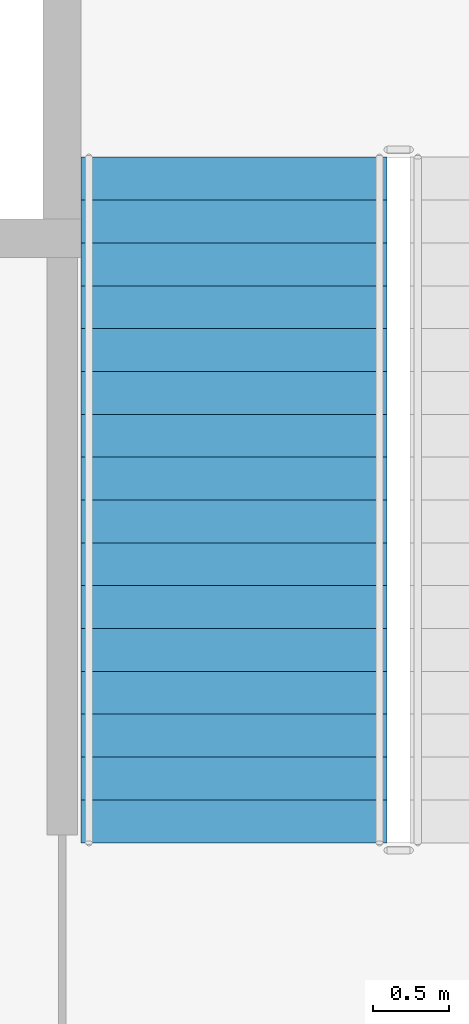
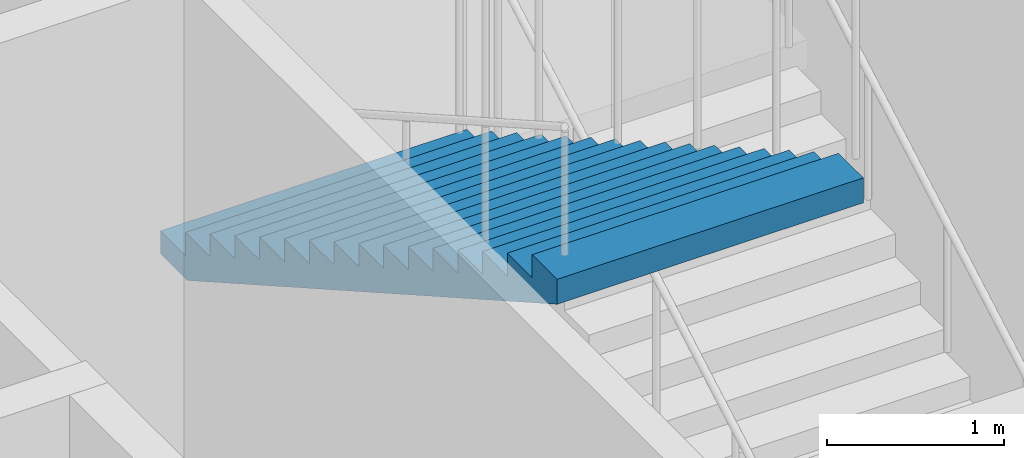
# One storey, part 13 of 26: 1 stair flight, 1 element without a shape of its own.
"""IFC4 building model written with IfcOpenShell, lengths in metres."""

from ifc_helpers import new_model, si_unit, direction, frame, origin, place, context, subcontext, project, spatial, polygons, material, type_object, element, aggregate, save


model = new_model("IFC4")

# Units and contexts
model_context = context("Model", 3, precision=1e-05, world=origin(), true_north=direction((0.0, 1.0)))
body_context = subcontext(model_context, "Body", "Model", "MODEL_VIEW")
ifc_project = project(units=[si_unit("LENGTHUNIT", "METRE"), si_unit("AREAUNIT", "SQUARE_METRE"), si_unit("VOLUMEUNIT", "CUBIC_METRE"), si_unit("PLANEANGLEUNIT", "RADIAN"), si_unit("MASSUNIT", "GRAM", prefix="KILO")], contexts=[model_context])

# Site, building, storey
site_placement = place(None, origin())
site = spatial("IfcSite", under=ifc_project, at=site_placement, CompositionType="ELEMENT")
building_placement = place(site_placement, origin())
building = spatial("IfcBuilding", under=site, at=building_placement, Name="Caravel Reach Hotel and Residences", CompositionType="ELEMENT")
storey_placement = place(building_placement, frame((0.0, 0.0, 12.0)))
storey = spatial("IfcBuildingStorey", under=building, at=storey_placement, Name="L02", CompositionType="ELEMENT", Elevation=12.0)

# Stair, stair flight
ifc_material_1 = material(Name="Concrete C40", Category="concrete")
stair_type = type_object("IfcStairType", Name="Core stair", PredefinedType="HALF_TURN_STAIR", material=ifc_material_1)
stair_placement = place(storey_placement, origin())
stair = element("IfcStair", 1, at=stair_placement, inside=storey, type_object=stair_type, Name="L02 Exit stair B", PredefinedType="HALF_TURN_STAIR")
ifc_material_2 = material(Name="Concrete C40", Category="concrete")
stair_flight_type = type_object("IfcStairFlightType", Name="Core stair flight", PredefinedType="STRAIGHT", material=ifc_material_2)
stair_flight_placement = place(storey_placement, frame((41.625, 29.1298828125, 2.699951171875), z_axis=(0.0, 0.0, 1.0), x_axis=(0.0, -1.0, 0.0)))
stair_flight = element("IfcStairFlight", 2, at=stair_flight_placement, type_object=stair_flight_type, Name="ST-B flight 2", NumberOfRisers=17, NumberOfTreads=16, PredefinedType="STRAIGHT", RiserHeight=0.158823529, TreadLength=0.28, context=body_context, shape_type="Tessellation", body=[
    polygons([(0.30382651472380307, 1.0, 0.0), (0.30382651472380307, 0.6666666666666667, 0.0), (0.30382651472380307, 0.33333333333333337, 0.0), (0.30382651472380307, 0.0, 0.0), (0.30382651472380307, -0.33333333333333326, 0.0), (0.30382651472380307, -0.6666666666666667, 0.0), (0.30382651472380307, -1.0, 0.0), (4.481000000000001, 1.0, 2.3688378951706968), (4.481000000000001, 0.6666666666666667, 2.3688378951706968), (4.481000000000001, 0.33333333333333337, 2.3688378951706968), (4.481000000000001, 0.0, 2.3688378951706968), (4.481000000000001, -0.33333333333333326, 2.3688378951706968), (4.481000000000001, -0.6666666666666667, 2.3688378951706968), (4.481000000000001, -1.0, 2.3688378951706968), (4.481000000000001, 1.0, 2.541176464), (4.481000000000001, 0.6666666666666667, 2.541176464), (4.481000000000001, 0.33333333333333337, 2.541176464), (4.481000000000001, 0.0, 2.541176464), (4.481000000000001, -0.33333333333333326, 2.541176464), (4.481000000000001, -0.6666666666666667, 2.541176464), (4.481000000000001, -1.0, 2.541176464), (4.2, 1.0, 2.541176464), (4.2, 0.6666666666666667, 2.541176464), (4.2, 0.33333333333333337, 2.541176464), (4.2, 0.0, 2.541176464), (4.2, -0.33333333333333326, 2.541176464), (4.2, -0.6666666666666667, 2.541176464), (4.2, -1.0, 2.541176464), (4.2, 1.0, 2.3823529349999997), (4.2, 0.6666666666666667, 2.3823529349999997), (4.2, 0.33333333333333337, 2.3823529349999997), (4.2, 0.0, 2.3823529349999997), (4.2, -0.33333333333333326, 2.3823529349999997), (4.2, -0.6666666666666667, 2.3823529349999997), (4.2, -1.0, 2.3823529349999997), (3.9200000000000004, 1.0, 2.3823529349999997), (3.9200000000000004, 0.6666666666666667, 2.3823529349999997), (3.9200000000000004, 0.33333333333333337, 2.3823529349999997), (3.9200000000000004, 0.0, 2.3823529349999997), (3.9200000000000004, -0.33333333333333326, 2.3823529349999997), (3.9200000000000004, -0.6666666666666667, 2.3823529349999997), (3.9200000000000004, -1.0, 2.3823529349999997), (3.9200000000000004, 1.0, 2.223529406), (3.9200000000000004, 0.6666666666666667, 2.223529406), (3.9200000000000004, 0.33333333333333337, 2.223529406), (3.9200000000000004, 0.0, 2.223529406), (3.9200000000000004, -0.33333333333333326, 2.223529406), (3.9200000000000004, -0.6666666666666667, 2.223529406), (3.9200000000000004, -1.0, 2.223529406), (3.6400000000000006, 1.0, 2.223529406), (3.6400000000000006, 0.6666666666666667, 2.223529406), (3.6400000000000006, 0.33333333333333337, 2.223529406), (3.6400000000000006, 0.0, 2.223529406), (3.6400000000000006, -0.33333333333333326, 2.223529406), (3.6400000000000006, -0.6666666666666667, 2.223529406), (3.6400000000000006, -1.0, 2.223529406), (3.6400000000000006, 1.0, 2.0647058769999997), (3.6400000000000006, 0.6666666666666667, 2.0647058769999997), (3.6400000000000006, 0.33333333333333337, 2.0647058769999997), (3.6400000000000006, 0.0, 2.0647058769999997), (3.6400000000000006, -0.33333333333333326, 2.0647058769999997), (3.6400000000000006, -0.6666666666666667, 2.0647058769999997), (3.6400000000000006, -1.0, 2.0647058769999997), (3.3600000000000003, 1.0, 2.0647058769999997), (3.3600000000000003, 0.6666666666666667, 2.0647058769999997), (3.3600000000000003, 0.33333333333333337, 2.0647058769999997), (3.3600000000000003, 0.0, 2.0647058769999997), (3.3600000000000003, -0.33333333333333326, 2.0647058769999997), (3.3600000000000003, -0.6666666666666667, 2.0647058769999997), (3.3600000000000003, -1.0, 2.0647058769999997), (3.3600000000000003, 1.0, 1.905882348), (3.3600000000000003, 0.6666666666666667, 1.905882348), (3.3600000000000003, 0.33333333333333337, 1.905882348), (3.3600000000000003, 0.0, 1.905882348), (3.3600000000000003, -0.33333333333333326, 1.905882348), (3.3600000000000003, -0.6666666666666667, 1.905882348), (3.3600000000000003, -1.0, 1.905882348), (3.08, 1.0, 1.905882348), (3.08, 0.6666666666666667, 1.905882348), (3.08, 0.33333333333333337, 1.905882348), (3.08, 0.0, 1.905882348), (3.08, -0.33333333333333326, 1.905882348), (3.08, -0.6666666666666667, 1.905882348), (3.08, -1.0, 1.905882348), (3.08, 1.0, 1.7470588189999998), (3.08, 0.6666666666666667, 1.7470588189999998), (3.08, 0.33333333333333337, 1.7470588189999998), (3.08, 0.0, 1.7470588189999998), (3.08, -0.33333333333333326, 1.7470588189999998), (3.08, -0.6666666666666667, 1.7470588189999998), (3.08, -1.0, 1.7470588189999998), (2.8000000000000003, 1.0, 1.7470588189999998), (2.8000000000000003, 0.6666666666666667, 1.7470588189999998), (2.8000000000000003, 0.33333333333333337, 1.7470588189999998), (2.8000000000000003, 0.0, 1.7470588189999998), (2.8000000000000003, -0.33333333333333326, 1.7470588189999998), (2.8000000000000003, -0.6666666666666667, 1.7470588189999998), (2.8000000000000003, -1.0, 1.7470588189999998), (2.8000000000000003, 1.0, 1.5882352899999999), (2.8000000000000003, 0.6666666666666667, 1.5882352899999999), (2.8000000000000003, 0.33333333333333337, 1.5882352899999999), (2.8000000000000003, 0.0, 1.5882352899999999), (2.8000000000000003, -0.33333333333333326, 1.5882352899999999), (2.8000000000000003, -0.6666666666666667, 1.5882352899999999), (2.8000000000000003, -1.0, 1.5882352899999999), (2.5200000000000005, 1.0, 1.5882352899999999), (2.5200000000000005, 0.6666666666666667, 1.5882352899999999), (2.5200000000000005, 0.33333333333333337, 1.5882352899999999), (2.5200000000000005, 0.0, 1.5882352899999999), (2.5200000000000005, -0.33333333333333326, 1.5882352899999999), (2.5200000000000005, -0.6666666666666667, 1.5882352899999999), (2.5200000000000005, -1.0, 1.5882352899999999), (2.5200000000000005, 1.0, 1.429411761), (2.5200000000000005, 0.6666666666666667, 1.429411761), (2.5200000000000005, 0.33333333333333337, 1.429411761), (2.5200000000000005, 0.0, 1.429411761), (2.5200000000000005, -0.33333333333333326, 1.429411761), (2.5200000000000005, -0.6666666666666667, 1.429411761), (2.5200000000000005, -1.0, 1.429411761), (2.24, 1.0, 1.429411761), (2.24, 0.6666666666666667, 1.429411761), (2.24, 0.33333333333333337, 1.429411761), (2.24, 0.0, 1.429411761), (2.24, -0.33333333333333326, 1.429411761), (2.24, -0.6666666666666667, 1.429411761), (2.24, -1.0, 1.429411761), (2.24, 1.0, 1.270588232), (2.24, 0.6666666666666667, 1.270588232), (2.24, 0.33333333333333337, 1.270588232), (2.24, 0.0, 1.270588232), (2.24, -0.33333333333333326, 1.270588232), (2.24, -0.6666666666666667, 1.270588232), (2.24, -1.0, 1.270588232), (1.9600000000000002, 1.0, 1.270588232), (1.9600000000000002, 0.6666666666666667, 1.270588232), (1.9600000000000002, 0.33333333333333337, 1.270588232), (1.9600000000000002, 0.0, 1.270588232), (1.9600000000000002, -0.33333333333333326, 1.270588232), (1.9600000000000002, -0.6666666666666667, 1.270588232), (1.9600000000000002, -1.0, 1.270588232), (1.9600000000000002, 1.0, 1.111764703), (1.9600000000000002, 0.6666666666666667, 1.111764703), (1.9600000000000002, 0.33333333333333337, 1.111764703), (1.9600000000000002, 0.0, 1.111764703), (1.9600000000000002, -0.33333333333333326, 1.111764703), (1.9600000000000002, -0.6666666666666667, 1.111764703), (1.9600000000000002, -1.0, 1.111764703), (1.6800000000000002, 1.0, 1.111764703), (1.6800000000000002, 0.6666666666666667, 1.111764703), (1.6800000000000002, 0.33333333333333337, 1.111764703), (1.6800000000000002, 0.0, 1.111764703), (1.6800000000000002, -0.33333333333333326, 1.111764703), (1.6800000000000002, -0.6666666666666667, 1.111764703), (1.6800000000000002, -1.0, 1.111764703), (1.6800000000000002, 1.0, 0.952941174), (1.6800000000000002, 0.6666666666666667, 0.952941174), (1.6800000000000002, 0.33333333333333337, 0.952941174), (1.6800000000000002, 0.0, 0.952941174), (1.6800000000000002, -0.33333333333333326, 0.952941174), (1.6800000000000002, -0.6666666666666667, 0.952941174), (1.6800000000000002, -1.0, 0.952941174), (1.4000000000000001, 1.0, 0.952941174), (1.4000000000000001, 0.6666666666666667, 0.952941174), (1.4000000000000001, 0.33333333333333337, 0.952941174), (1.4000000000000001, 0.0, 0.952941174), (1.4000000000000001, -0.33333333333333326, 0.952941174), (1.4000000000000001, -0.6666666666666667, 0.952941174), (1.4000000000000001, -1.0, 0.952941174), (1.4000000000000001, 1.0, 0.7941176449999999), (1.4000000000000001, 0.6666666666666667, 0.7941176449999999), (1.4000000000000001, 0.33333333333333337, 0.7941176449999999), (1.4000000000000001, 0.0, 0.7941176449999999), (1.4000000000000001, -0.33333333333333326, 0.7941176449999999), (1.4000000000000001, -0.6666666666666667, 0.7941176449999999), (1.4000000000000001, -1.0, 0.7941176449999999), (1.12, 1.0, 0.7941176449999999), (1.12, 0.6666666666666667, 0.7941176449999999), (1.12, 0.33333333333333337, 0.7941176449999999), (1.12, 0.0, 0.7941176449999999), (1.12, -0.33333333333333326, 0.7941176449999999), (1.12, -0.6666666666666667, 0.7941176449999999), (1.12, -1.0, 0.7941176449999999), (1.12, 1.0, 0.635294116), (1.12, 0.6666666666666667, 0.635294116), (1.12, 0.33333333333333337, 0.635294116), (1.12, 0.0, 0.635294116), (1.12, -0.33333333333333326, 0.635294116), (1.12, -0.6666666666666667, 0.635294116), (1.12, -1.0, 0.635294116), (0.8400000000000001, 1.0, 0.635294116), (0.8400000000000001, 0.6666666666666667, 0.635294116), (0.8400000000000001, 0.33333333333333337, 0.635294116), (0.8400000000000001, 0.0, 0.635294116), (0.8400000000000001, -0.33333333333333326, 0.635294116), (0.8400000000000001, -0.6666666666666667, 0.635294116), (0.8400000000000001, -1.0, 0.635294116), (0.8400000000000001, 1.0, 0.476470587), (0.8400000000000001, 0.6666666666666667, 0.476470587), (0.8400000000000001, 0.33333333333333337, 0.476470587), (0.8400000000000001, 0.0, 0.476470587), (0.8400000000000001, -0.33333333333333326, 0.476470587), (0.8400000000000001, -0.6666666666666667, 0.476470587), (0.8400000000000001, -1.0, 0.476470587), (0.56, 1.0, 0.476470587), (0.56, 0.6666666666666667, 0.476470587), (0.56, 0.33333333333333337, 0.476470587), (0.56, 0.0, 0.476470587), (0.56, -0.33333333333333326, 0.476470587), (0.56, -0.6666666666666667, 0.476470587), (0.56, -1.0, 0.476470587), (0.56, 1.0, 0.317647058), (0.56, 0.6666666666666667, 0.317647058), (0.56, 0.33333333333333337, 0.317647058), (0.56, 0.0, 0.317647058), (0.56, -0.33333333333333326, 0.317647058), (0.56, -0.6666666666666667, 0.317647058), (0.56, -1.0, 0.317647058), (0.28, 1.0, 0.317647058), (0.28, 0.6666666666666667, 0.317647058), (0.28, 0.33333333333333337, 0.317647058), (0.28, 0.0, 0.317647058), (0.28, -0.33333333333333326, 0.317647058), (0.28, -0.6666666666666667, 0.317647058), (0.28, -1.0, 0.317647058), (0.28, 1.0, 0.158823529), (0.28, 0.6666666666666667, 0.158823529), (0.28, 0.33333333333333337, 0.158823529), (0.28, 0.0, 0.158823529), (0.28, -0.33333333333333326, 0.158823529), (0.28, -0.6666666666666667, 0.158823529), (0.28, -1.0, 0.158823529), (-0.001, 1.0, 0.158823529), (-0.001, 0.6666666666666667, 0.158823529), (-0.001, 0.33333333333333337, 0.158823529), (-0.001, 0.0, 0.158823529), (-0.001, -0.33333333333333326, 0.158823529), (-0.001, -0.6666666666666667, 0.158823529), (-0.001, -1.0, 0.158823529), (-0.001, 1.0, 0.0), (-0.001, 0.6666666666666667, 0.0), (-0.001, 0.33333333333333337, 0.0), (-0.001, 0.0, 0.0), (-0.001, -0.33333333333333326, 0.0), (-0.001, -0.6666666666666667, 0.0), (-0.001, -1.0, 0.0)], [[[239, 232, 225, 218, 211, 204, 197, 190, 183, 176, 169, 162, 155, 148, 141, 134, 127, 120, 113, 106, 99, 92, 85, 78, 71, 64, 57, 50, 43, 36, 29, 22, 15, 8, 1]], [[7, 14, 21, 28, 35, 42, 49, 56, 63, 70, 77, 84, 91, 98, 105, 112, 119, 126, 133, 140, 147, 154, 161, 168, 175, 182, 189, 196, 203, 210, 217, 224, 231, 238, 245]], [[1, 8, 9, 2]], [[2, 9, 10, 3]], [[3, 10, 11, 4]], [[4, 11, 12, 5]], [[5, 12, 13, 6]], [[6, 13, 14, 7]], [[8, 15, 16, 9]], [[9, 16, 17, 10]], [[10, 17, 18, 11]], [[11, 18, 19, 12]], [[12, 19, 20, 13]], [[13, 20, 21, 14]], [[15, 22, 23, 16]], [[16, 23, 24, 17]], [[17, 24, 25, 18]], [[18, 25, 26, 19]], [[19, 26, 27, 20]], [[20, 27, 28, 21]], [[22, 29, 30, 23]], [[23, 30, 31, 24]], [[24, 31, 32, 25]], [[25, 32, 33, 26]], [[26, 33, 34, 27]], [[27, 34, 35, 28]], [[29, 36, 37, 30]], [[30, 37, 38, 31]], [[31, 38, 39, 32]], [[32, 39, 40, 33]], [[33, 40, 41, 34]], [[34, 41, 42, 35]], [[36, 43, 44, 37]], [[37, 44, 45, 38]], [[38, 45, 46, 39]], [[39, 46, 47, 40]], [[40, 47, 48, 41]], [[41, 48, 49, 42]], [[43, 50, 51, 44]], [[44, 51, 52, 45]], [[45, 52, 53, 46]], [[46, 53, 54, 47]], [[47, 54, 55, 48]], [[48, 55, 56, 49]], [[50, 57, 58, 51]], [[51, 58, 59, 52]], [[52, 59, 60, 53]], [[53, 60, 61, 54]], [[54, 61, 62, 55]], [[55, 62, 63, 56]], [[57, 64, 65, 58]], [[58, 65, 66, 59]], [[59, 66, 67, 60]], [[60, 67, 68, 61]], [[61, 68, 69, 62]], [[62, 69, 70, 63]], [[64, 71, 72, 65]], [[65, 72, 73, 66]], [[66, 73, 74, 67]], [[67, 74, 75, 68]], [[68, 75, 76, 69]], [[69, 76, 77, 70]], [[71, 78, 79, 72]], [[72, 79, 80, 73]], [[73, 80, 81, 74]], [[74, 81, 82, 75]], [[75, 82, 83, 76]], [[76, 83, 84, 77]], [[78, 85, 86, 79]], [[79, 86, 87, 80]], [[80, 87, 88, 81]], [[81, 88, 89, 82]], [[82, 89, 90, 83]], [[83, 90, 91, 84]], [[85, 92, 93, 86]], [[86, 93, 94, 87]], [[87, 94, 95, 88]], [[88, 95, 96, 89]], [[89, 96, 97, 90]], [[90, 97, 98, 91]], [[92, 99, 100, 93]], [[93, 100, 101, 94]], [[94, 101, 102, 95]], [[95, 102, 103, 96]], [[96, 103, 104, 97]], [[97, 104, 105, 98]], [[99, 106, 107, 100]], [[100, 107, 108, 101]], [[101, 108, 109, 102]], [[102, 109, 110, 103]], [[103, 110, 111, 104]], [[104, 111, 112, 105]], [[106, 113, 114, 107]], [[107, 114, 115, 108]], [[108, 115, 116, 109]], [[109, 116, 117, 110]], [[110, 117, 118, 111]], [[111, 118, 119, 112]], [[113, 120, 121, 114]], [[114, 121, 122, 115]], [[115, 122, 123, 116]], [[116, 123, 124, 117]], [[117, 124, 125, 118]], [[118, 125, 126, 119]], [[120, 127, 128, 121]], [[121, 128, 129, 122]], [[122, 129, 130, 123]], [[123, 130, 131, 124]], [[124, 131, 132, 125]], [[125, 132, 133, 126]], [[127, 134, 135, 128]], [[128, 135, 136, 129]], [[129, 136, 137, 130]], [[130, 137, 138, 131]], [[131, 138, 139, 132]], [[132, 139, 140, 133]], [[134, 141, 142, 135]], [[135, 142, 143, 136]], [[136, 143, 144, 137]], [[137, 144, 145, 138]], [[138, 145, 146, 139]], [[139, 146, 147, 140]], [[141, 148, 149, 142]], [[142, 149, 150, 143]], [[143, 150, 151, 144]], [[144, 151, 152, 145]], [[145, 152, 153, 146]], [[146, 153, 154, 147]], [[148, 155, 156, 149]], [[149, 156, 157, 150]], [[150, 157, 158, 151]], [[151, 158, 159, 152]], [[152, 159, 160, 153]], [[153, 160, 161, 154]], [[155, 162, 163, 156]], [[156, 163, 164, 157]], [[157, 164, 165, 158]], [[158, 165, 166, 159]], [[159, 166, 167, 160]], [[160, 167, 168, 161]], [[162, 169, 170, 163]], [[163, 170, 171, 164]], [[164, 171, 172, 165]], [[165, 172, 173, 166]], [[166, 173, 174, 167]], [[167, 174, 175, 168]], [[169, 176, 177, 170]], [[170, 177, 178, 171]], [[171, 178, 179, 172]], [[172, 179, 180, 173]], [[173, 180, 181, 174]], [[174, 181, 182, 175]], [[176, 183, 184, 177]], [[177, 184, 185, 178]], [[178, 185, 186, 179]], [[179, 186, 187, 180]], [[180, 187, 188, 181]], [[181, 188, 189, 182]], [[183, 190, 191, 184]], [[184, 191, 192, 185]], [[185, 192, 193, 186]], [[186, 193, 194, 187]], [[187, 194, 195, 188]], [[188, 195, 196, 189]], [[190, 197, 198, 191]], [[191, 198, 199, 192]], [[192, 199, 200, 193]], [[193, 200, 201, 194]], [[194, 201, 202, 195]], [[195, 202, 203, 196]], [[197, 204, 205, 198]], [[198, 205, 206, 199]], [[199, 206, 207, 200]], [[200, 207, 208, 201]], [[201, 208, 209, 202]], [[202, 209, 210, 203]], [[204, 211, 212, 205]], [[205, 212, 213, 206]], [[206, 213, 214, 207]], [[207, 214, 215, 208]], [[208, 215, 216, 209]], [[209, 216, 217, 210]], [[211, 218, 219, 212]], [[212, 219, 220, 213]], [[213, 220, 221, 214]], [[214, 221, 222, 215]], [[215, 222, 223, 216]], [[216, 223, 224, 217]], [[218, 225, 226, 219]], [[219, 226, 227, 220]], [[220, 227, 228, 221]], [[221, 228, 229, 222]], [[222, 229, 230, 223]], [[223, 230, 231, 224]], [[225, 232, 233, 226]], [[226, 233, 234, 227]], [[227, 234, 235, 228]], [[228, 235, 236, 229]], [[229, 236, 237, 230]], [[230, 237, 238, 231]], [[232, 239, 240, 233]], [[233, 240, 241, 234]], [[234, 241, 242, 235]], [[235, 242, 243, 236]], [[236, 243, 244, 237]], [[237, 244, 245, 238]], [[239, 1, 2, 240]], [[240, 2, 3, 241]], [[241, 3, 4, 242]], [[242, 4, 5, 243]], [[243, 5, 6, 244]], [[244, 6, 7, 245]]], closed=True),
])
aggregate(stair, [stair_flight])

save(model, "model.ifc")
